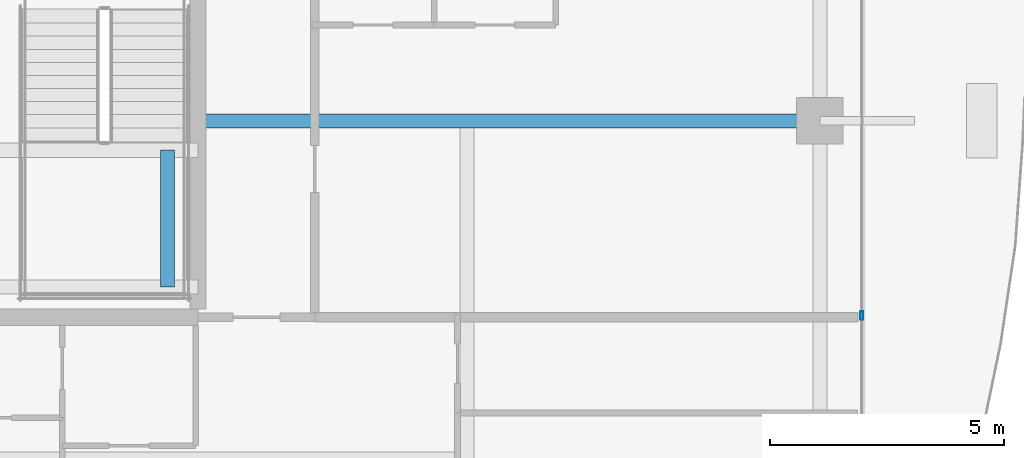
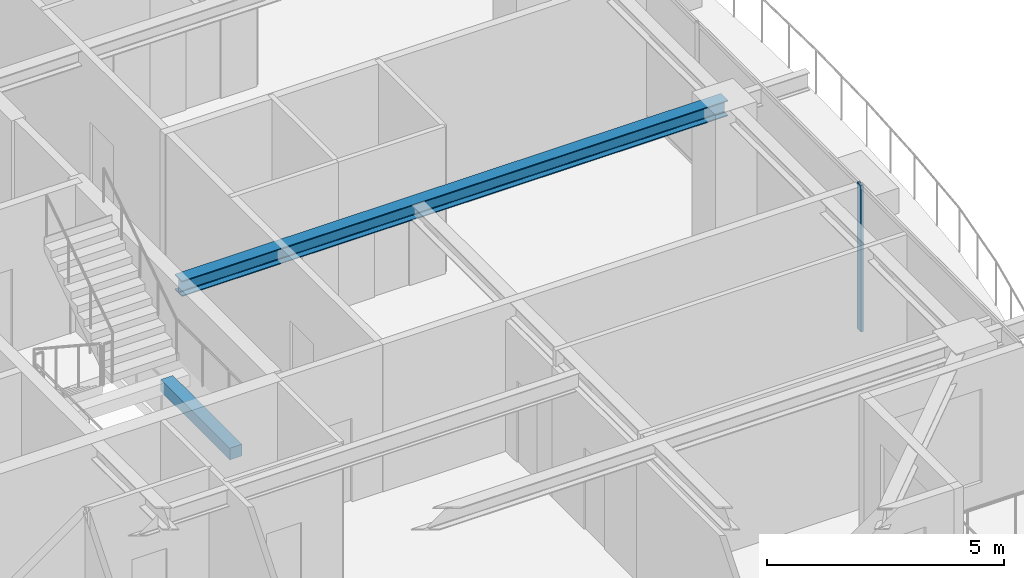
# One storey, part 15 of 40: 2 beams, 1 member, 1 element without a shape of its own.
"""IFC4 building model written with IfcOpenShell, lengths in metres."""

from ifc_helpers import new_model, si_unit, direction, frame, origin, origin_2d, place, context, subcontext, project, spatial, rectangle, hollow_rectangle, i_section, extrude, source, transform, mapped, material, layer, layer_set, material_profile, profile_set, type_object, element, aggregate, save


model = new_model("IFC4")

# Units and contexts
model_context = context("Model", 3, precision=1e-05, world=origin(), true_north=direction((0.0, 1.0)))
body_context = subcontext(model_context, "Body", "Model", "MODEL_VIEW")
ifc_project = project(units=[si_unit("LENGTHUNIT", "METRE"), si_unit("AREAUNIT", "SQUARE_METRE"), si_unit("VOLUMEUNIT", "CUBIC_METRE"), si_unit("PLANEANGLEUNIT", "RADIAN"), si_unit("MASSUNIT", "GRAM", prefix="KILO")], contexts=[model_context])

# Site, building, storey
site_placement = place(None, origin())
site = spatial("IfcSite", under=ifc_project, at=site_placement, CompositionType="ELEMENT")
building_placement = place(site_placement, origin())
building = spatial("IfcBuilding", under=site, at=building_placement, Name="Serunith Strait Residences", CompositionType="ELEMENT")
storey_placement = place(building_placement, frame((0.0, 0.0, 313.699951171875)))
storey = spatial("IfcBuildingStorey", under=building, at=storey_placement, Name="L78", CompositionType="ELEMENT", Elevation=313.699951171875)

# Beams
ifc_material_1 = material(Name="Steel S355J2", Category="steel")
ifc_material_profile_1 = material_profile(ifc_material_1, i_section(OverallWidth=0.300048828125, OverallDepth=0.39990234375, WebThickness=0.013427734375, FlangeThickness=0.02392578125, FilletRadius=0.027099609375, at=origin_2d()), Name="HEB 400")
ifc_profile_set_1 = profile_set([ifc_material_profile_1], Name="Steel S355J2")
beam_type_1 = type_object("IfcBeamType", Name="BM-HEB400", PredefinedType="BEAM", material=ifc_profile_set_1)
shared_shape_1 = source(origin(), body_context, "Body", "SweptSolid", [
    extrude(i_section(OverallWidth=0.300048828125, OverallDepth=0.39990234375, WebThickness=0.013427734375, FlangeThickness=0.02392578125, FilletRadius=0.027099609375, at=origin_2d()), origin(), (0.0, 0.0, 1.0), 13.300048828125),
])
beam_1_placement = place(storey_placement, frame((41.39990234375, 21.0, 3.587158203125), z_axis=(1.0, 0.0, 0.0), x_axis=(0.0, 1.0, 0.0)))
element("IfcBeam", 1, at=beam_1_placement, inside=storey, type_object=beam_type_1, Name="L78 Primary Floor Girder TC-E2", PredefinedType="BEAM", context=body_context, shape_type="MappedRepresentation", body=[
    mapped(shared_shape_1, transform((0.0, 0.0, 0.0), scale=1.0)),
])
ifc_material_2 = material(Name="Concrete C60/75", Category="concrete")
ifc_material_profile_2 = material_profile(ifc_material_2, rectangle(XDim=0.300048828125, YDim=0.300048828125, at=origin_2d()), Name="RC 300x300")
ifc_profile_set_2 = profile_set([ifc_material_profile_2], Name="Concrete C60/75")
beam_type_2 = type_object("IfcBeamType", Name="BM-LAND-300x300", PredefinedType="BEAM", material=ifc_profile_set_2)
shared_shape_2 = source(origin(), body_context, "Body", "SweptSolid", [
    extrude(rectangle(XDim=0.300048828125, YDim=0.300048828125, at=origin_2d()), origin(), (0.0, 0.0, 1.0), 2.920166015625),
])
beam_2_placement = place(storey_placement, frame((40.75, 17.449951171875, 1.675048828125), z_axis=(0.0, 1.0, 0.0), x_axis=(-1.0, 0.0, 0.0)))
element("IfcBeam", 2, at=beam_2_placement, inside=storey, type_object=beam_type_2, Name="L78 ST-2 Landing Transverse Tie Beam", PredefinedType="BEAM", context=body_context, shape_type="MappedRepresentation", body=[
    mapped(shared_shape_2, transform((0.0, 0.0, 0.0), scale=1.0)),
])

# Curtain wall, member
ifc_material_3 = material(Name="Brushed Stainless-Silver Aluminium", Category="aluminium")
ifc_layer = layer(ifc_material_3, 0.199951171875, Name="Brushed Stainless-Silver Aluminium")
ifc_layer_set = layer_set([ifc_layer], Name="Brushed Stainless-Silver Aluminium")
curtain_wall_type = type_object("IfcCurtainWallType", Name="CW-SYS5", PredefinedType="NOTDEFINED", material=ifc_layer_set)
curtain_wall_placement = place(storey_placement, origin())
curtain_wall = element("IfcCurtainWall", 3, at=curtain_wall_placement, inside=storey, type_object=curtain_wall_type, Name="L78 E Unitised Fritted Curtain Wall", PredefinedType="NOTDEFINED")
ifc_material_profile_3 = material_profile(ifc_material_3, hollow_rectangle(XDim=0.06494140625, YDim=0.179931640625, WallThickness=0.00341796875, InnerFilletRadius=0.00537109375, OuterFilletRadius=0.0087890625, at=origin_2d()), Name="ALU 180x65x3.5")
ifc_profile_set_3 = profile_set([ifc_material_profile_3], Name="Brushed Stainless-Silver Aluminium")
member_type = type_object("IfcMemberType", Name="CW-SYS5-MULL", PredefinedType="MULLION", material=ifc_profile_set_3)
shared_shape_3 = source(origin(), body_context, "Body", "SweptSolid", [
    extrude(hollow_rectangle(XDim=0.06494140625, YDim=0.179931640625, WallThickness=0.00341796875, InnerFilletRadius=0.00537109375, OuterFilletRadius=0.0087890625, at=origin_2d()), origin(), (0.0, 0.0, 1.0), 3.775146484375),
])
member_placement = place(storey_placement, frame((55.60009765625, 16.833251953125, 0.0), z_axis=(0.0, 0.0, 1.0), x_axis=(-1.0, 0.0, 0.0)))
member = element("IfcMember", 4, at=member_placement, type_object=member_type, Name="CW-5 mullion 2", PredefinedType="MULLION", context=body_context, shape_type="MappedRepresentation", body=[
    mapped(shared_shape_3, transform((0.0, 0.0, 0.0), scale=1.0)),
])
aggregate(curtain_wall, [member])

save(model, "model.ifc")
